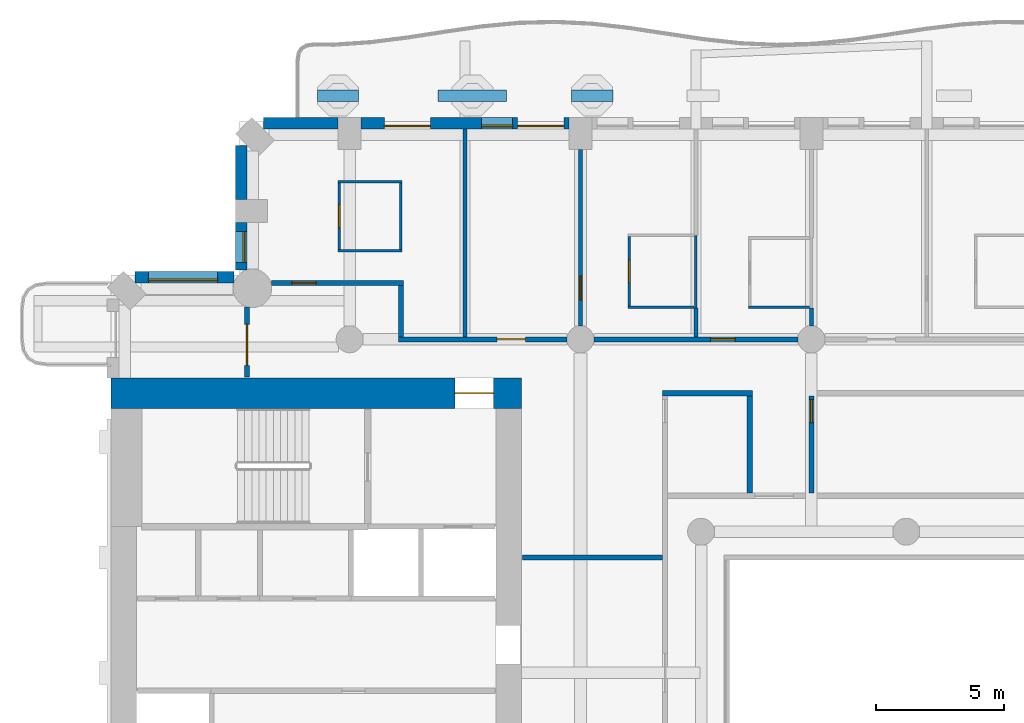
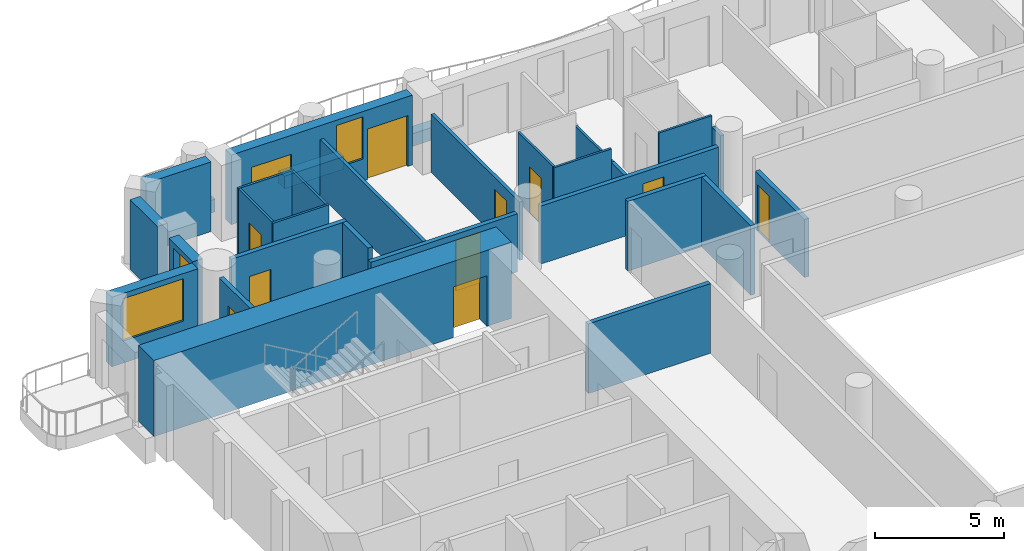
# One storey, part 8 of 20: 30 walls, 11 doors, 3 windows, 14 openings.
"""IFC4 building model written with IfcOpenShell, lengths in metres."""

from ifc_helpers import new_model, si_unit, direction, frame, frame_2d, origin, place, context, subcontext, project, spatial, rectangle, extrude, material, layer, layer_set, type_object, element, fill, save


model = new_model("IFC4")

# Units and contexts
model_context = context("Model", 3, precision=1e-05, world=origin(), true_north=direction((0.0, 1.0)))
body_context = subcontext(model_context, "Body", "Model", "MODEL_VIEW")
ifc_project = project(units=[si_unit("LENGTHUNIT", "METRE"), si_unit("AREAUNIT", "SQUARE_METRE"), si_unit("VOLUMEUNIT", "CUBIC_METRE"), si_unit("PLANEANGLEUNIT", "RADIAN"), si_unit("MASSUNIT", "GRAM", prefix="KILO")], contexts=[model_context])

# Site, building, storey
site_placement = place(None, origin())
site = spatial("IfcSite", under=ifc_project, at=site_placement, CompositionType="ELEMENT")
building_placement = place(site_placement, origin())
building = spatial("IfcBuilding", under=site, at=building_placement, Name="Cypress Arch Tower", CompositionType="ELEMENT")
storey_placement = place(building_placement, frame((0.0, 0.0, 113.10009765625)))
storey = spatial("IfcBuildingStorey", under=building, at=storey_placement, Name="L23", CompositionType="ELEMENT", Elevation=113.10009765625)

# Walls
ifc_material_1 = material(Name="Concrete C40/50, waterproofed", Category="concrete")
ifc_layer_1 = layer(ifc_material_1, 0.449951171875)
ifc_layer_set_1 = layer_set([ifc_layer_1], Name="Balcony planter wall PW450")
wall_type_1 = type_object("IfcWallType", Name="Balcony planter wall PW450", PredefinedType="SOLIDWALL", material=ifc_layer_set_1)
wall_1_placement = place(storey_placement, frame((-10.4375, 27.0, 0.0), z_axis=(0.0, 0.0, 1.0), x_axis=(-1.0, 0.0, 0.0)))
element("IfcWall", 1, at=wall_1_placement, inside=storey, type_object=wall_type_1, Name="Balcony planter wall L23-A08.4", PredefinedType="SOLIDWALL", context=body_context, shape_type="SweptSolid", body=[
    extrude(rectangle(XDim=1.612548828125, YDim=0.449951171875, at=frame_2d((0.80615234375, 0.0))), origin(), (0.0, 0.0, 1.0), 0.599853515625),
])
wall_2_placement = place(storey_placement, frame((-14.574951171875, 27.0, 0.0), z_axis=(0.0, 0.0, 1.0), x_axis=(-1.0, 0.0, 0.0)))
element("IfcWall", 2, at=wall_2_placement, inside=storey, type_object=wall_type_1, Name="Balcony planter wall L23-A08.5", PredefinedType="SOLIDWALL", context=body_context, shape_type="SweptSolid", body=[
    extrude(rectangle(XDim=2.675048828125, YDim=0.449951171875, at=frame_2d((1.33740234375, 0.0))), origin(), (0.0, 0.0, 1.0), 0.599853515625),
])
wall_3_placement = place(storey_placement, frame((-20.35009765625, 27.0, 0.0), z_axis=(0.0, 0.0, 1.0), x_axis=(-1.0, 0.0, 0.0)))
element("IfcWall", 3, at=wall_3_placement, inside=storey, type_object=wall_type_1, Name="Balcony planter wall L23-A08.6", PredefinedType="SOLIDWALL", context=body_context, shape_type="SweptSolid", body=[
    extrude(rectangle(XDim=1.599853515625, YDim=0.449951171875, at=frame_2d((0.7998046875, 0.0))), origin(), (0.0, 0.0, 1.0), 0.599853515625),
])

# Wall, openings, doors, window
ifc_material_2 = material(Name="Brick (red buff blend)", Category="masonry")
ifc_layer_2 = layer(ifc_material_2, 0.449951171875)
ifc_layer_set_2 = layer_set([ifc_layer_2], Name="Brick pier and spandrel wall BW450")
wall_type_2 = type_object("IfcWallType", Name="Brick pier and spandrel wall BW450", PredefinedType="SOLIDWALL", material=ifc_layer_set_2)
wall_4_placement = place(storey_placement, frame((-12.14990234375, 25.925048828125, 0.0), z_axis=(0.0, 0.0, 1.0), x_axis=(-1.0, 0.0, 0.0)))
wall_4 = element("IfcWall", 4, at=wall_4_placement, inside=storey, type_object=wall_type_2, Name="Brick wall L23 A08.3", PredefinedType="SOLIDWALL", context=body_context, shape_type="SweptSolid", body=[
    extrude(rectangle(XDim=8.10009765625, YDim=0.449951171875, at=frame_2d((4.050048828125, 0.0))), origin(), (0.0, 0.0, 1.0), 3.2998046875),
])
opening_1_placement = place(wall_4_placement, frame((0.199951171875, 0.0, 0.0)))
opening_1 = element("IfcOpeningElement", 5, at=opening_1_placement, cuts=wall_4, Name="Opening D-L23-A08.3.1", PredefinedType="OPENING", context=body_context, shape_type="SweptSolid", body=[
    extrude(rectangle(XDim=1.800048828125, YDim=2.39990234375, at=frame_2d((0.89990234375, 1.199951171875))), frame((0.0, 0.23486328125, 0.0), z_axis=(0.0, -1.0, 0.0), x_axis=(1.0, 0.0, 0.0)), (0.0, 0.0, 1.0), 0.469970703125),
])
opening_2_placement = place(wall_4_placement, frame((2.199951171875, 0.0, 1.050048828125)))
opening_2 = element("IfcOpeningElement", 6, at=opening_2_placement, cuts=wall_4, Name="Opening W120HD", PredefinedType="OPENING", context=body_context, shape_type="SweptSolid", body=[
    extrude(rectangle(XDim=1.199951171875, YDim=2.0, at=frame_2d((0.60009765625, 1.0))), frame((0.0, 0.23486328125, 0.0), z_axis=(0.0, -1.0, 0.0), x_axis=(1.0, 0.0, 0.0)), (0.0, 0.0, 1.0), 0.469970703125),
])
opening_3_placement = place(wall_4_placement, frame((5.39990234375, 0.0, 0.0)))
opening_3 = element("IfcOpeningElement", 7, at=opening_3_placement, cuts=wall_4, Name="Opening D-L23-A08.3.2", PredefinedType="OPENING", context=body_context, shape_type="SweptSolid", body=[
    extrude(rectangle(XDim=1.800048828125, YDim=2.39990234375, at=frame_2d((0.89990234375, 1.199951171875))), frame((0.0, 0.23486328125, 0.0), z_axis=(0.0, -1.0, 0.0), x_axis=(1.0, 0.0, 0.0)), (0.0, 0.0, 1.0), 0.469970703125),
])
ifc_material_3 = material(Name="Anodised aluminium, bronze finish, laminated low-emissivity double glazing, large-missile impact rated", Category="aluminium")
door_type_1 = type_object("IfcDoorType", Name="Balcony sliding door 1800x2400", OperationType="SLIDING_TO_LEFT", PredefinedType="DOOR", material=ifc_material_3)
door_1_placement = place(opening_1_placement, origin())
door_1 = element("IfcDoor", 8, at=door_1_placement, inside=storey, type_object=door_type_1, Name="Balcony door L23 A08.3.1", OperationType="SLIDING_TO_LEFT", OverallHeight=2.39990234375, OverallWidth=1.800048828125, PredefinedType="DOOR", context=body_context, shape_type="SweptSolid", body=[
    extrude(rectangle(XDim=1.800048828125, YDim=2.39990234375, at=frame_2d((0.89990234375, 1.199951171875))), frame((0.0, 0.1298828125, 0.0), z_axis=(0.0, -1.0, 0.0), x_axis=(1.0, 0.0, 0.0)), (0.0, 0.0, 1.0), 0.050048828125),
])
fill(opening_1, door_1)
door_2_placement = place(opening_3_placement, origin())
door_2 = element("IfcDoor", 9, at=door_2_placement, inside=storey, type_object=door_type_1, Name="Balcony door L23 A08.3.2", OperationType="SLIDING_TO_LEFT", OverallHeight=2.39990234375, OverallWidth=1.800048828125, PredefinedType="DOOR", context=body_context, shape_type="SweptSolid", body=[
    extrude(rectangle(XDim=1.800048828125, YDim=2.39990234375, at=frame_2d((0.89990234375, 1.199951171875))), frame((0.0, 0.1298828125, 0.0), z_axis=(0.0, -1.0, 0.0), x_axis=(1.0, 0.0, 0.0)), (0.0, 0.0, 1.0), 0.050048828125),
])
fill(opening_3, door_2)
ifc_material_4 = material(Name="Anodised aluminium, bronze finish, laminated low-emissivity double glazing, large-missile impact rated", Category="aluminium")
window_type_1 = type_object("IfcWindowType", Name="Window Hotel 1200x2000 debris-rated", PartitioningType="SINGLE_PANEL", PredefinedType="WINDOW", material=ifc_material_4)
window_1_placement = place(opening_2_placement, origin())
window_1 = element("IfcWindow", 10, at=window_1_placement, inside=storey, type_object=window_type_1, Name="Window L23 A08.3.1", OverallHeight=2.0, OverallWidth=1.199951171875, PartitioningType="SINGLE_PANEL", PredefinedType="WINDOW", context=body_context, shape_type="SweptSolid", body=[
    extrude(rectangle(XDim=1.199951171875, YDim=2.0, at=frame_2d((0.60009765625, 1.0))), frame((0.0, 0.135009765625, 0.0), z_axis=(0.0, -1.0, 0.0), x_axis=(1.0, 0.0, 0.0)), (0.0, 0.0, 1.0), 0.06005859375),
])
fill(opening_2, window_1)

# Walls
wall_5_placement = place(storey_placement, frame((-21.14990234375, 25.925048828125, 0.0), z_axis=(0.0, 0.0, 1.0), x_axis=(-1.0, 0.0, 0.0)))
element("IfcWall", 11, at=wall_5_placement, inside=storey, type_object=wall_type_2, Name="Brick wall L23 A08.4", PredefinedType="SOLIDWALL", context=body_context, shape_type="SweptSolid", body=[
    extrude(rectangle(XDim=2.913818359375, YDim=0.449951171875, at=frame_2d((1.45703125, 0.0))), origin(), (0.0, 0.0, 1.0), 3.2998046875),
])
wall_6_placement = place(storey_placement, frame((-24.925048828125, 25.063720703125, 0.0), z_axis=(0.0, 0.0, 1.0), x_axis=(0.0, -1.0, 0.0)))
element("IfcWall", 12, at=wall_6_placement, inside=storey, type_object=wall_type_2, Name="Brick wall L23 A09.0", PredefinedType="SOLIDWALL", context=body_context, shape_type="SweptSolid", body=[
    extrude(rectangle(XDim=2.11376953125, YDim=0.449951171875, at=frame_2d((1.056884765625, 0.0))), origin(), (0.0, 0.0, 1.0), 3.2998046875),
])

# Wall, opening, window
wall_7_placement = place(storey_placement, frame((-24.925048828125, 22.050048828125, 0.0), z_axis=(0.0, 0.0, 1.0), x_axis=(0.0, -1.0, 0.0)))
wall_7 = element("IfcWall", 13, at=wall_7_placement, inside=storey, type_object=wall_type_2, Name="Brick wall L23 A09.1", PredefinedType="SOLIDWALL", context=body_context, shape_type="SweptSolid", body=[
    extrude(rectangle(XDim=1.843017578125, YDim=0.449951171875, at=frame_2d((0.92138671875, 0.0))), origin(), (0.0, 0.0, 1.0), 3.2998046875),
])
opening_4_placement = place(wall_7_placement, frame((0.35009765625, 0.0, 1.050048828125)))
opening_4 = element("IfcOpeningElement", 14, at=opening_4_placement, cuts=wall_7, Name="Opening W120H", PredefinedType="OPENING", context=body_context, shape_type="SweptSolid", body=[
    extrude(rectangle(XDim=1.199951171875, YDim=2.0, at=frame_2d((0.60009765625, 1.0))), frame((0.0, 0.23486328125, 0.0), z_axis=(0.0, -1.0, 0.0), x_axis=(1.0, 0.0, 0.0)), (0.0, 0.0, 1.0), 0.469970703125),
])
ifc_material_5 = material(Name="Anodised aluminium, bronze finish, clear low-emissivity double glazing", Category="aluminium")
window_type_2 = type_object("IfcWindowType", Name="Window Hotel 1200x2000", PartitioningType="SINGLE_PANEL", PredefinedType="WINDOW", material=ifc_material_5)
window_2_placement = place(opening_4_placement, origin())
window_2 = element("IfcWindow", 15, at=window_2_placement, inside=storey, type_object=window_type_2, Name="Window L23 A09.1.1", OverallHeight=2.0, OverallWidth=1.199951171875, PartitioningType="SINGLE_PANEL", PredefinedType="WINDOW", context=body_context, shape_type="SweptSolid", body=[
    extrude(rectangle(XDim=1.199951171875, YDim=2.0, at=frame_2d((0.60009765625, 1.0))), frame((0.0, 0.135009765625, 0.0), z_axis=(0.0, -1.0, 0.0), x_axis=(1.0, 0.0, 0.0)), (0.0, 0.0, 1.0), 0.06005859375),
])
fill(opening_4, window_2)

wall_8_placement = place(storey_placement, frame((-25.20703125, 19.925048828125, 0.0), z_axis=(0.0, 0.0, 1.0), x_axis=(-1.0, 0.0, 0.0)))
wall_8 = element("IfcWall", 16, at=wall_8_placement, inside=storey, type_object=wall_type_2, Name="Brick wall L23 A10.0", PredefinedType="SOLIDWALL", context=body_context, shape_type="SweptSolid", body=[
    extrude(rectangle(XDim=3.856689453125, YDim=0.449951171875, at=frame_2d((1.92822265625, 0.0))), origin(), (0.0, 0.0, 1.0), 3.2998046875),
])
opening_5_placement = place(wall_8_placement, frame((0.64306640625, 0.0, 1.050048828125)))
opening_5 = element("IfcOpeningElement", 17, at=opening_5_placement, cuts=wall_8, Name="Opening W270H", PredefinedType="OPENING", context=body_context, shape_type="SweptSolid", body=[
    extrude(rectangle(XDim=2.699951171875, YDim=2.0, at=frame_2d((1.35009765625, 1.0))), frame((0.0, 0.23486328125, 0.0), z_axis=(0.0, -1.0, 0.0), x_axis=(1.0, 0.0, 0.0)), (0.0, 0.0, 1.0), 0.469970703125),
])
ifc_material_6 = material(Name="Anodised aluminium, bronze finish, clear low-emissivity double glazing", Category="aluminium")
window_type_3 = type_object("IfcWindowType", Name="Window Hotel 2700x2000", PartitioningType="SINGLE_PANEL", PredefinedType="WINDOW", material=ifc_material_6)
window_3_placement = place(opening_5_placement, origin())
window_3 = element("IfcWindow", 18, at=window_3_placement, inside=storey, type_object=window_type_3, Name="Window L23 A10.0.1", OverallHeight=2.0, OverallWidth=2.699951171875, PartitioningType="SINGLE_PANEL", PredefinedType="WINDOW", context=body_context, shape_type="SweptSolid", body=[
    extrude(rectangle(XDim=2.699951171875, YDim=2.0, at=frame_2d((1.35009765625, 1.0))), frame((0.0, 0.135009765625, 0.0), z_axis=(0.0, -1.0, 0.0), x_axis=(1.0, 0.0, 0.0)), (0.0, 0.0, 1.0), 0.06005859375),
])
fill(opening_5, window_3)

# Wall, opening, door
ifc_material_7 = material(Name="Concrete C80/95", Category="concrete")
ifc_layer_3 = layer(ifc_material_7, 1.199951171875)
ifc_layer_set_3 = layer_set([ifc_layer_3], Name="Core wall CW1200 C80/95")
wall_type_3 = type_object("IfcWallType", Name="Core wall CW1200 C80/95", PredefinedType="SHEAR", material=ifc_layer_set_3)
wall_9_placement = place(storey_placement, frame((-30.0, 15.39990234375, 0.0), z_axis=(0.0, 0.0, 1.0), x_axis=(1.0, 0.0, 0.0)))
wall_9 = element("IfcWall", 19, at=wall_9_placement, inside=storey, type_object=wall_type_3, Name="Core wall", PredefinedType="SHEAR", context=body_context, shape_type="SweptSolid", body=[
    extrude(rectangle(XDim=16.0, YDim=1.199951171875, at=frame_2d((8.0, 0.0))), origin(), (0.0, 0.0, 1.0), 3.599853515625),
])
opening_6_placement = place(wall_9_placement, frame((13.39990234375, 0.0, 0.0)))
opening_6 = element("IfcOpeningElement", 20, at=opening_6_placement, cuts=wall_9, Name="Opening D07", PredefinedType="OPENING", context=body_context, shape_type="SweptSolid", body=[
    extrude(rectangle(XDim=1.5, YDim=2.39990234375, at=frame_2d((0.75, 1.199951171875))), frame((0.0, 0.60986328125, 0.0), z_axis=(0.0, -1.0, 0.0), x_axis=(1.0, 0.0, 0.0)), (0.0, 0.0, 1.0), 1.219970703125),
])
ifc_material_8 = material(Name="Steel framed glazed door, fire resisting", Category="steel")
door_type_2 = type_object("IfcDoorType", Name="Lobby door D07 1500x2400", OperationType="DOUBLE_DOOR_SINGLE_SWING", PredefinedType="DOOR", material=ifc_material_8)
door_3_placement = place(opening_6_placement, origin())
door_3 = element("IfcDoor", 21, at=door_3_placement, inside=storey, type_object=door_type_2, Name="Lobby door", OperationType="DOUBLE_DOOR_SINGLE_SWING", OverallHeight=2.39990234375, OverallWidth=1.5, PredefinedType="DOOR", context=body_context, shape_type="SweptSolid", body=[
    extrude(rectangle(XDim=1.5, YDim=2.39990234375, at=frame_2d((0.75, 1.199951171875))), frame((0.0, 0.02490234375, 0.0), z_axis=(0.0, -1.0, 0.0), x_axis=(1.0, 0.0, 0.0)), (0.0, 0.0, 1.0), 0.050048828125),
])
fill(opening_6, door_3)

ifc_material_9 = material(Name="Concrete blockwork, plastered, rated", Category="masonry")
ifc_layer_4 = layer(ifc_material_9, 0.199951171875)
ifc_layer_set_4 = layer_set([ifc_layer_4], Name="Corridor wall FW200")
wall_type_4 = type_object("IfcWallType", Name="Corridor wall FW200", PredefinedType="PARTITIONING", material=ifc_layer_set_4)
wall_10_placement = place(storey_placement, frame((-24.699951171875, 16.030029296875, 0.0), z_axis=(0.0, 0.0, 1.0), x_axis=(0.0, 1.0, 0.0)))
wall_10 = element("IfcWall", 22, at=wall_10_placement, inside=storey, type_object=wall_type_4, Name="Corridor wall", PredefinedType="PARTITIONING", context=body_context, shape_type="SweptSolid", body=[
    extrude(rectangle(XDim=2.72216796875, YDim=0.199951171875, at=frame_2d((1.361083984375, 0.0))), origin(), (0.0, 0.0, 1.0), 3.2998046875),
])
opening_7_placement = place(wall_10_placement, frame((0.449951171875, 0.0, 0.0)))
opening_7 = element("IfcOpeningElement", 23, at=opening_7_placement, cuts=wall_10, Name="Opening D10", PredefinedType="OPENING", context=body_context, shape_type="SweptSolid", body=[
    extrude(rectangle(XDim=1.60009765625, YDim=2.39990234375, at=frame_2d((0.800048828125, 1.199951171875))), frame((0.0, 0.10986328125, 0.0), z_axis=(0.0, -1.0, 0.0), x_axis=(1.0, 0.0, 0.0)), (0.0, 0.0, 1.0), 0.219970703125),
])
ifc_material_10 = material(Name="Black aluminium glazed door", Category="aluminium")
door_type_3 = type_object("IfcDoorType", Name="Amenity door D10 1600x2400", OperationType="DOUBLE_DOOR_SINGLE_SWING", PredefinedType="DOOR", material=ifc_material_10)
door_4_placement = place(opening_7_placement, origin())
door_4 = element("IfcDoor", 24, at=door_4_placement, inside=storey, type_object=door_type_3, Name="Amenity door", OperationType="DOUBLE_DOOR_SINGLE_SWING", OverallHeight=2.39990234375, OverallWidth=1.60009765625, PredefinedType="DOOR", context=body_context, shape_type="SweptSolid", body=[
    extrude(rectangle(XDim=1.60009765625, YDim=2.39990234375, at=frame_2d((0.800048828125, 1.199951171875))), frame((0.0, 0.02490234375, 0.0), z_axis=(0.0, -1.0, 0.0), x_axis=(1.0, 0.0, 0.0)), (0.0, 0.0, 1.0), 0.050048828125),
])
fill(opening_7, door_4)

wall_11_placement = place(storey_placement, frame((-23.752197265625, 19.699951171875, 0.0), z_axis=(0.0, 0.0, 1.0), x_axis=(1.0, 0.0, 0.0)))
wall_11 = element("IfcWall", 25, at=wall_11_placement, inside=storey, type_object=wall_type_4, Name="Corridor wall", PredefinedType="PARTITIONING", context=body_context, shape_type="SweptSolid", body=[
    extrude(rectangle(XDim=5.152099609375, YDim=0.199951171875, at=frame_2d((2.576171875, 0.0))), origin(), (0.0, 0.0, 1.0), 3.2998046875),
])
opening_8_placement = place(wall_11_placement, frame((0.800048828125, 0.0, 0.0)))
opening_8 = element("IfcOpeningElement", 26, at=opening_8_placement, cuts=wall_11, Name="Opening D02", PredefinedType="OPENING", context=body_context, shape_type="SweptSolid", body=[
    extrude(rectangle(XDim=0.949951171875, YDim=2.199951171875, at=frame_2d((0.47509765625, 1.10009765625))), frame((0.0, 0.10986328125, 0.0), z_axis=(0.0, -1.0, 0.0), x_axis=(1.0, 0.0, 0.0)), (0.0, 0.0, 1.0), 0.219970703125),
])
ifc_material_11 = material(Name="Timber flush door, fire resisting", Category="wood")
door_type_4 = type_object("IfcDoorType", Name="Room door D02 950x2200", OperationType="SINGLE_SWING_LEFT", PredefinedType="DOOR", material=ifc_material_11)
door_5_placement = place(opening_8_placement, origin())
door_5 = element("IfcDoor", 27, at=door_5_placement, inside=storey, type_object=door_type_4, Name="Room door", OperationType="SINGLE_SWING_LEFT", OverallHeight=2.199951171875, OverallWidth=0.949951171875, PredefinedType="DOOR", context=body_context, shape_type="SweptSolid", body=[
    extrude(rectangle(XDim=0.949951171875, YDim=2.199951171875, at=frame_2d((0.47509765625, 1.10009765625))), frame((0.0, 0.02490234375, 0.0), z_axis=(0.0, -1.0, 0.0), x_axis=(1.0, 0.0, 0.0)), (0.0, 0.0, 1.0), 0.050048828125),
])
fill(opening_8, door_5)

# Wall
wall_12_placement = place(storey_placement, frame((-18.699951171875, 17.60009765625, 0.0), z_axis=(0.0, 0.0, 1.0), x_axis=(0.0, 1.0, 0.0)))
element("IfcWall", 28, at=wall_12_placement, inside=storey, type_object=wall_type_4, Name="Corridor wall", PredefinedType="PARTITIONING", context=body_context, shape_type="SweptSolid", body=[
    extrude(rectangle(XDim=2.0, YDim=0.199951171875, at=frame_2d((1.0, 0.0))), origin(), (0.0, 0.0, 1.0), 3.2998046875),
])

# Wall, opening, door
wall_13_placement = place(storey_placement, frame((-18.800048828125, 17.5, 0.0), z_axis=(0.0, 0.0, 1.0), x_axis=(1.0, 0.0, 0.0)))
wall_13 = element("IfcWall", 29, at=wall_13_placement, inside=storey, type_object=wall_type_4, Name="Corridor wall", PredefinedType="PARTITIONING", context=body_context, shape_type="SweptSolid", body=[
    extrude(rectangle(XDim=6.574951171875, YDim=0.199951171875, at=frame_2d((3.28759765625, 0.0))), origin(), (0.0, 0.0, 1.0), 2.75),
])
opening_9_placement = place(wall_13_placement, frame((3.85009765625, 0.0, 0.0)))
opening_9 = element("IfcOpeningElement", 30, at=opening_9_placement, cuts=wall_13, Name="Opening D01", PredefinedType="OPENING", context=body_context, shape_type="SweptSolid", body=[
    extrude(rectangle(XDim=1.10009765625, YDim=2.39990234375, at=frame_2d((0.550048828125, 1.199951171875))), frame((0.0, 0.10986328125, 0.0), z_axis=(0.0, -1.0, 0.0), x_axis=(1.0, 0.0, 0.0)), (0.0, 0.0, 1.0), 0.219970703125),
])
ifc_material_12 = material(Name="Timber flush door, fire resisting, self-closing", Category="wood")
door_type_5 = type_object("IfcDoorType", Name="Unit entrance door D01 1100x2400", OperationType="SINGLE_SWING_LEFT", PredefinedType="DOOR", material=ifc_material_12)
door_6_placement = place(opening_9_placement, origin())
door_6 = element("IfcDoor", 31, at=door_6_placement, inside=storey, type_object=door_type_5, Name="Unit entrance door", OperationType="SINGLE_SWING_LEFT", OverallHeight=2.39990234375, OverallWidth=1.10009765625, PredefinedType="DOOR", context=body_context, shape_type="SweptSolid", body=[
    extrude(rectangle(XDim=1.10009765625, YDim=2.39990234375, at=frame_2d((0.550048828125, 1.199951171875))), frame((0.0, 0.02490234375, 0.0), z_axis=(0.0, -1.0, 0.0), x_axis=(1.0, 0.0, 0.0)), (0.0, 0.0, 1.0), 0.050048828125),
])
fill(opening_9, door_6)

wall_14_placement = place(storey_placement, frame((-11.175048828125, 17.5, 0.0), z_axis=(0.0, 0.0, 1.0), x_axis=(1.0, 0.0, 0.0)))
wall_14 = element("IfcWall", 32, at=wall_14_placement, inside=storey, type_object=wall_type_4, Name="Corridor wall", PredefinedType="PARTITIONING", context=body_context, shape_type="SweptSolid", body=[
    extrude(rectangle(XDim=7.949951171875, YDim=0.199951171875, at=frame_2d((3.97509765625, 0.0))), origin(), (0.0, 0.0, 1.0), 2.75),
])
opening_10_placement = place(wall_14_placement, frame((4.550048828125, 0.0, 0.0)))
opening_10 = element("IfcOpeningElement", 33, at=opening_10_placement, cuts=wall_14, Name="Opening D02", PredefinedType="OPENING", context=body_context, shape_type="SweptSolid", body=[
    extrude(rectangle(XDim=0.949951171875, YDim=2.199951171875, at=frame_2d((0.47509765625, 1.10009765625))), frame((0.0, 0.10986328125, 0.0), z_axis=(0.0, -1.0, 0.0), x_axis=(1.0, 0.0, 0.0)), (0.0, 0.0, 1.0), 0.219970703125),
])
door_7_placement = place(opening_10_placement, origin())
door_7 = element("IfcDoor", 34, at=door_7_placement, inside=storey, type_object=door_type_4, Name="Room door", OperationType="SINGLE_SWING_LEFT", OverallHeight=2.199951171875, OverallWidth=0.949951171875, PredefinedType="DOOR", context=body_context, shape_type="SweptSolid", body=[
    extrude(rectangle(XDim=0.949951171875, YDim=2.199951171875, at=frame_2d((0.47509765625, 1.10009765625))), frame((0.0, 0.02490234375, 0.0), z_axis=(0.0, -1.0, 0.0), x_axis=(1.0, 0.0, 0.0)), (0.0, 0.0, 1.0), 0.050048828125),
])
fill(opening_10, door_7)

# Walls
wall_15_placement = place(storey_placement, frame((-13.969970703125, 9.0, 0.0), z_axis=(0.0, 0.0, 1.0), x_axis=(1.0, 0.0, 0.0)))
element("IfcWall", 35, at=wall_15_placement, inside=storey, type_object=wall_type_4, Name="Corridor wall", PredefinedType="PARTITIONING", context=body_context, shape_type="SweptSolid", body=[
    extrude(rectangle(XDim=5.469970703125, YDim=0.199951171875, at=frame_2d((2.73486328125, 0.0))), origin(), (0.0, 0.0, 1.0), 3.2998046875),
])
wall_16_placement = place(storey_placement, frame((-8.5, 15.39990234375, 0.0), z_axis=(0.0, 0.0, 1.0), x_axis=(1.0, 0.0, 0.0)))
element("IfcWall", 36, at=wall_16_placement, inside=storey, type_object=wall_type_4, Name="Corridor wall", PredefinedType="PARTITIONING", context=body_context, shape_type="SweptSolid", body=[
    extrude(rectangle(XDim=3.5, YDim=0.199951171875, at=frame_2d((1.75, 0.0))), origin(), (0.0, 0.0, 1.0), 3.2998046875),
])
wall_17_placement = place(storey_placement, frame((-5.10009765625, 11.5, 0.0), z_axis=(0.0, 0.0, 1.0), x_axis=(0.0, 1.0, 0.0)))
element("IfcWall", 37, at=wall_17_placement, inside=storey, type_object=wall_type_4, Name="Corridor wall", PredefinedType="PARTITIONING", context=body_context, shape_type="SweptSolid", body=[
    extrude(rectangle(XDim=3.800048828125, YDim=0.199951171875, at=frame_2d((1.89990234375, 0.0))), origin(), (0.0, 0.0, 1.0), 3.2998046875),
])

# Wall, opening, door
wall_18_placement = place(storey_placement, frame((-2.699951171875, 11.5, 0.0), z_axis=(0.0, 0.0, 1.0), x_axis=(0.0, 1.0, 0.0)))
wall_18 = element("IfcWall", 38, at=wall_18_placement, inside=storey, type_object=wall_type_4, Name="Corridor wall", PredefinedType="PARTITIONING", context=body_context, shape_type="SweptSolid", body=[
    extrude(rectangle(XDim=3.800048828125, YDim=0.199951171875, at=frame_2d((1.89990234375, 0.0))), origin(), (0.0, 0.0, 1.0), 2.75),
])
opening_11_placement = place(wall_18_placement, frame((2.75, 0.0, 0.0)))
opening_11 = element("IfcOpeningElement", 39, at=opening_11_placement, cuts=wall_18, Name="Opening D05", PredefinedType="OPENING", context=body_context, shape_type="SweptSolid", body=[
    extrude(rectangle(XDim=0.89990234375, YDim=2.199951171875, at=frame_2d((0.449951171875, 1.10009765625))), frame((0.0, 0.10986328125, 0.0), z_axis=(0.0, -1.0, 0.0), x_axis=(1.0, 0.0, 0.0)), (0.0, 0.0, 1.0), 0.219970703125),
])
ifc_material_13 = material(Name="Timber flush door", Category="wood")
door_type_6 = type_object("IfcDoorType", Name="Service door D05 900x2200", OperationType="SINGLE_SWING_LEFT", PredefinedType="DOOR", material=ifc_material_13)
door_8_placement = place(opening_11_placement, origin())
door_8 = element("IfcDoor", 40, at=door_8_placement, inside=storey, type_object=door_type_6, Name="Service door", OperationType="SINGLE_SWING_LEFT", OverallHeight=2.199951171875, OverallWidth=0.89990234375, PredefinedType="DOOR", context=body_context, shape_type="SweptSolid", body=[
    extrude(rectangle(XDim=0.89990234375, YDim=2.199951171875, at=frame_2d((0.449951171875, 1.10009765625))), frame((0.0, 0.02490234375, 0.0), z_axis=(0.0, -1.0, 0.0), x_axis=(1.0, 0.0, 0.0)), (0.0, 0.0, 1.0), 0.050048828125),
])
fill(opening_11, door_8)

# Wall
ifc_material_14 = material(Name="Blockwork, plastered both sides", Category="masonry")
ifc_layer_5 = layer(ifc_material_14, 0.14990234375)
ifc_layer_set_5 = layer_set([ifc_layer_5], Name="Partition PW150")
wall_type_5 = type_object("IfcWallType", Name="Partition PW150", PredefinedType="PARTITIONING", material=ifc_layer_set_5)
wall_19_placement = place(storey_placement, frame((-16.199951171875, 17.60009765625, 0.0), z_axis=(0.0, 0.0, 1.0), x_axis=(0.0, 1.0, 0.0)))
element("IfcWall", 41, at=wall_19_placement, inside=storey, type_object=wall_type_5, Name="Partition", PredefinedType="PARTITIONING", context=body_context, shape_type="SweptSolid", body=[
    extrude(rectangle(XDim=8.099853515625, YDim=0.14990234375, at=frame_2d((4.0498046875, 0.0))), origin(), (0.0, 0.0, 1.0), 2.64990234375),
])

# Wall, opening, door
wall_20_placement = place(storey_placement, frame((-11.699951171875, 18.02490234375, 0.0), z_axis=(0.0, 0.0, 1.0), x_axis=(0.0, 1.0, 0.0)))
wall_20 = element("IfcWall", 42, at=wall_20_placement, inside=storey, type_object=wall_type_5, Name="Partition", PredefinedType="PARTITIONING", context=body_context, shape_type="SweptSolid", body=[
    extrude(rectangle(XDim=6.875, YDim=0.14990234375, at=frame_2d((3.4375, 0.0))), origin(), (0.0, 0.0, 1.0), 2.75),
])
opening_12_placement = place(wall_20_placement, frame((1.0, 0.0, 0.0)))
opening_12 = element("IfcOpeningElement", 43, at=opening_12_placement, cuts=wall_20, Name="Opening D12", PredefinedType="OPENING", context=body_context, shape_type="SweptSolid", body=[
    extrude(rectangle(XDim=0.949951171875, YDim=2.199951171875, at=frame_2d((0.47509765625, 1.10009765625))), frame((0.0, 0.0849609375, 0.0), z_axis=(0.0, -1.0, 0.0), x_axis=(1.0, 0.0, 0.0)), (0.0, 0.0, 1.0), 0.169921875),
])
ifc_material_15 = material(Name="Timber flush door", Category="wood")
door_type_7 = type_object("IfcDoorType", Name="Room door D12 950x2200", OperationType="SINGLE_SWING_LEFT", PredefinedType="DOOR", material=ifc_material_15)
door_9_placement = place(opening_12_placement, origin())
door_9 = element("IfcDoor", 44, at=door_9_placement, inside=storey, type_object=door_type_7, Name="Room door", OperationType="SINGLE_SWING_LEFT", OverallHeight=2.199951171875, OverallWidth=0.949951171875, PredefinedType="DOOR", context=body_context, shape_type="SweptSolid", body=[
    extrude(rectangle(XDim=0.949951171875, YDim=2.199951171875, at=frame_2d((0.47509765625, 1.10009765625))), frame((0.0, 0.02490234375, 0.0), z_axis=(0.0, -1.0, 0.0), x_axis=(1.0, 0.0, 0.0)), (0.0, 0.0, 1.0), 0.050048828125),
])
fill(opening_12, door_9)

# Walls
wall_21_placement = place(storey_placement, frame((-7.199951171875, 17.60009765625, 0.0), z_axis=(0.0, 0.0, 1.0), x_axis=(0.0, 1.0, 0.0)))
element("IfcWall", 45, at=wall_21_placement, inside=storey, type_object=wall_type_5, Name="Partition", PredefinedType="PARTITIONING", context=body_context, shape_type="SweptSolid", body=[
    extrude(rectangle(XDim=1.1298828125, YDim=0.14990234375, at=frame_2d((0.56494140625, 0.0))), origin(), (0.0, 0.0, 1.0), 2.64990234375),
])
wall_22_placement = place(storey_placement, frame((-2.699951171875, 18.02490234375, 0.0), z_axis=(0.0, 0.0, 1.0), x_axis=(0.0, 1.0, 0.0)))
element("IfcWall", 46, at=wall_22_placement, inside=storey, type_object=wall_type_5, Name="Partition", PredefinedType="PARTITIONING", context=body_context, shape_type="SweptSolid", body=[
    extrude(rectangle(XDim=0.705078125, YDim=0.14990234375, at=frame_2d((0.3525390625, 0.0))), origin(), (0.0, 0.0, 1.0), 2.75),
])

# Wall, opening, door
ifc_material_16 = material(Name="Moisture resistant board on steel studs, tiled", Category="steel")
ifc_layer_6 = layer(ifc_material_16, 0.10009765625)
ifc_layer_set_6 = layer_set([ifc_layer_6], Name="Wet wall PW100")
wall_type_6 = type_object("IfcWallType", Name="Wet wall PW100", PredefinedType="PARTITIONING", material=ifc_layer_set_6)
wall_23_placement = place(storey_placement, frame((-21.10009765625, 21.0, 0.0), z_axis=(0.0, 0.0, 1.0), x_axis=(0.0, 1.0, 0.0)))
wall_23 = element("IfcWall", 47, at=wall_23_placement, inside=storey, type_object=wall_type_6, Name="Wet wall", PredefinedType="PARTITIONING", context=body_context, shape_type="SweptSolid", body=[
    extrude(rectangle(XDim=2.60009765625, YDim=0.10009765625, at=frame_2d((1.300048828125, 0.0))), origin(), (0.0, 0.0, 1.0), 3.2998046875),
])
opening_13_placement = place(wall_23_placement, frame((0.85009765625, 0.0, 0.0)))
opening_13 = element("IfcOpeningElement", 48, at=opening_13_placement, cuts=wall_23, Name="Opening D03", PredefinedType="OPENING", context=body_context, shape_type="SweptSolid", body=[
    extrude(rectangle(XDim=0.89990234375, YDim=2.199951171875, at=frame_2d((0.449951171875, 1.10009765625))), frame((0.0, 0.06005859375, 0.0), z_axis=(0.0, -1.0, 0.0), x_axis=(1.0, 0.0, 0.0)), (0.0, 0.0, 1.0), 0.1201171875),
])
ifc_material_17 = material(Name="Timber flush door, moisture resistant", Category="wood")
door_type_8 = type_object("IfcDoorType", Name="Bathroom door D03 900x2200", OperationType="SINGLE_SWING_LEFT", PredefinedType="DOOR", material=ifc_material_17)
door_10_placement = place(opening_13_placement, origin())
door_10 = element("IfcDoor", 49, at=door_10_placement, inside=storey, type_object=door_type_8, Name="Bathroom door", OperationType="SINGLE_SWING_LEFT", OverallHeight=2.199951171875, OverallWidth=0.89990234375, PredefinedType="DOOR", context=body_context, shape_type="SweptSolid", body=[
    extrude(rectangle(XDim=0.89990234375, YDim=2.199951171875, at=frame_2d((0.449951171875, 1.10009765625))), frame((0.0, 0.02490234375, 0.0), z_axis=(0.0, -1.0, 0.0), x_axis=(1.0, 0.0, 0.0)), (0.0, 0.0, 1.0), 0.050048828125),
])
fill(opening_13, door_10)

# Walls
for number, where, z_axis, x_axis, name in (
    (50, (-21.14990234375, 20.949951171875, 0.0), (0.0, 0.0, 1.0), (1.0, 0.0, 0.0), "Wet wall"),
    (51, (-21.14990234375, 23.64990234375, 0.0), (0.0, 0.0, 1.0), (1.0, 0.0, 0.0), "Wet wall"),
):
    element("IfcWall", number, at=place(storey_placement, frame(where, z_axis=z_axis, x_axis=x_axis)), inside=storey, type_object=wall_type_6, Name=name, PredefinedType="PARTITIONING", context=body_context, shape_type="SweptSolid", body=[
        extrude(rectangle(XDim=2.5, YDim=0.10009765625, at=frame_2d((1.25, 0.0))), origin(), (0.0, 0.0, 1.0), 3.2998046875),
    ])
wall_24_placement = place(storey_placement, frame((-18.699951171875, 21.0, 0.0), z_axis=(0.0, 0.0, 1.0), x_axis=(0.0, 1.0, 0.0)))
element("IfcWall", 52, at=wall_24_placement, inside=storey, type_object=wall_type_6, Name="Wet wall", PredefinedType="PARTITIONING", context=body_context, shape_type="SweptSolid", body=[
    extrude(rectangle(XDim=2.60009765625, YDim=0.10009765625, at=frame_2d((1.300048828125, 0.0))), origin(), (0.0, 0.0, 1.0), 3.2998046875),
])

# Wall, opening, door
wall_25_placement = place(storey_placement, frame((-9.7958984375, 18.800048828125, 0.0), z_axis=(0.0, 0.0, 1.0), x_axis=(0.0, 1.0, 0.0)))
wall_25 = element("IfcWall", 53, at=wall_25_placement, inside=storey, type_object=wall_type_6, Name="Wet wall", PredefinedType="PARTITIONING", context=body_context, shape_type="SweptSolid", body=[
    extrude(rectangle(XDim=2.699951171875, YDim=0.10009765625, at=frame_2d((1.35009765625, 0.0))), origin(), (0.0, 0.0, 1.0), 3.2998046875),
])
opening_14_placement = place(wall_25_placement, frame((0.89990234375, 0.0, 0.0)))
opening_14 = element("IfcOpeningElement", 54, at=opening_14_placement, cuts=wall_25, Name="Opening D03", PredefinedType="OPENING", context=body_context, shape_type="SweptSolid", body=[
    extrude(rectangle(XDim=0.89990234375, YDim=2.199951171875, at=frame_2d((0.449951171875, 1.10009765625))), frame((0.0, 0.06005859375, 0.0), z_axis=(0.0, -1.0, 0.0), x_axis=(1.0, 0.0, 0.0)), (0.0, 0.0, 1.0), 0.1201171875),
])
door_11_placement = place(opening_14_placement, origin())
door_11 = element("IfcDoor", 55, at=door_11_placement, inside=storey, type_object=door_type_8, Name="Bathroom door", OperationType="SINGLE_SWING_LEFT", OverallHeight=2.199951171875, OverallWidth=0.89990234375, PredefinedType="DOOR", context=body_context, shape_type="SweptSolid", body=[
    extrude(rectangle(XDim=0.89990234375, YDim=2.199951171875, at=frame_2d((0.449951171875, 1.10009765625))), frame((0.0, 0.02490234375, 0.0), z_axis=(0.0, -1.0, 0.0), x_axis=(1.0, 0.0, 0.0)), (0.0, 0.0, 1.0), 0.050048828125),
])
fill(opening_14, door_11)

# Walls
wall_26_placement = place(storey_placement, frame((-9.845947265625, 18.75, 0.0), z_axis=(0.0, 0.0, 1.0), x_axis=(1.0, 0.0, 0.0)))
element("IfcWall", 56, at=wall_26_placement, inside=storey, type_object=wall_type_6, Name="Wet wall", PredefinedType="PARTITIONING", context=body_context, shape_type="SweptSolid", body=[
    extrude(rectangle(XDim=2.571044921875, YDim=0.10009765625, at=frame_2d((1.28564453125, 0.0))), origin(), (0.0, 0.0, 1.0), 3.2998046875),
])
wall_27_placement = place(storey_placement, frame((-7.199951171875, 18.72998046875, 0.0), z_axis=(0.0, 0.0, 1.0), x_axis=(0.0, 1.0, 0.0)))
element("IfcWall", 57, at=wall_27_placement, inside=storey, type_object=wall_type_6, Name="Wet wall", PredefinedType="PARTITIONING", context=body_context, shape_type="SweptSolid", body=[
    extrude(rectangle(XDim=2.820068359375, YDim=0.10009765625, at=frame_2d((1.41015625, 0.0))), origin(), (0.0, 0.0, 1.0), 2.64990234375),
])
wall_28_placement = place(storey_placement, frame((-5.14599609375, 18.75, 0.0), z_axis=(0.0, 0.0, 1.0), x_axis=(1.0, 0.0, 0.0)))
element("IfcWall", 58, at=wall_28_placement, inside=storey, type_object=wall_type_6, Name="Wet wall", PredefinedType="PARTITIONING", context=body_context, shape_type="SweptSolid", body=[
    extrude(rectangle(XDim=2.37109375, YDim=0.10009765625, at=frame_2d((1.185546875, 0.0))), origin(), (0.0, 0.0, 1.0), 3.2998046875),
])

save(model, "model.ifc")
